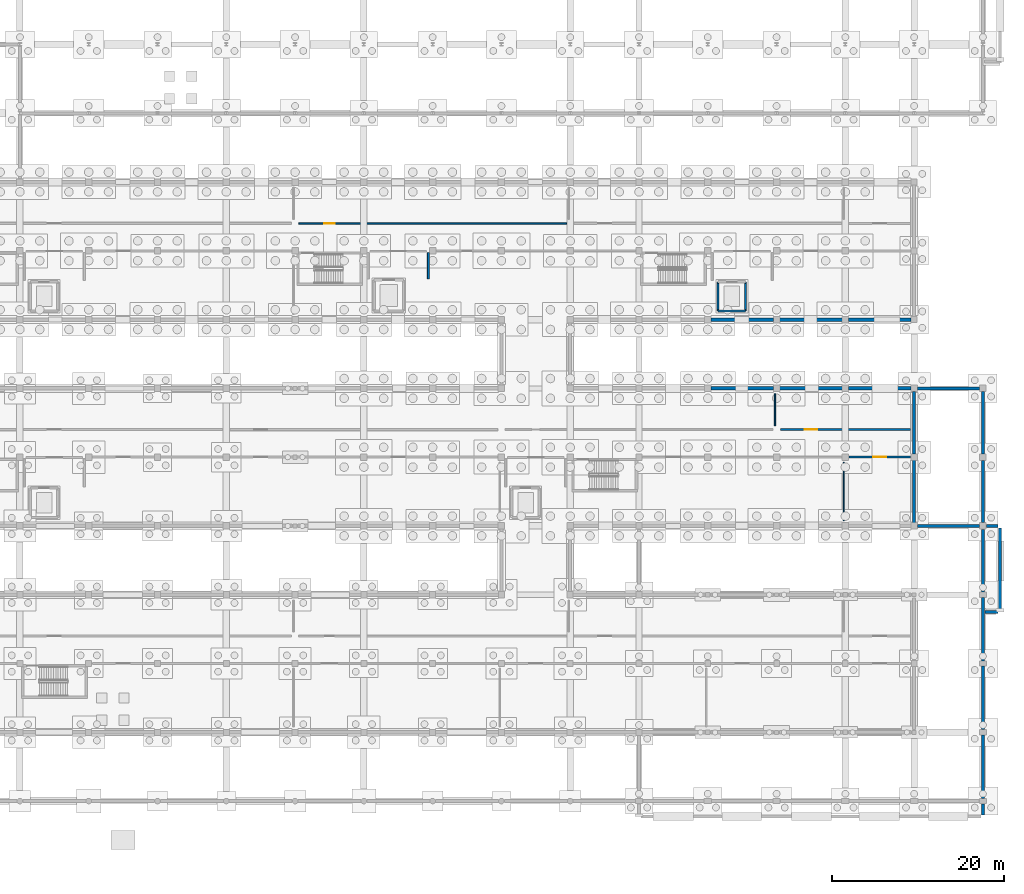
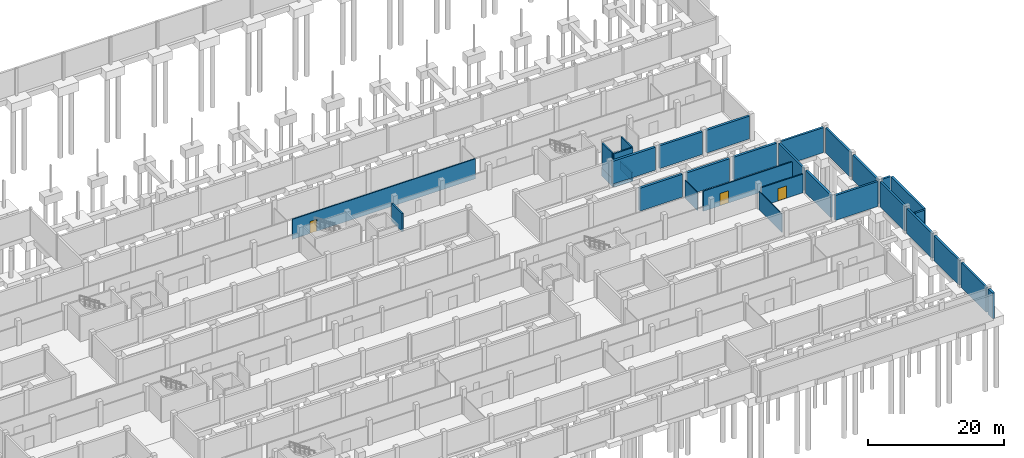
# One storey, part 44 of 51: 32 walls, 3 doors, 3 openings.
"""IFC4 building model written with IfcOpenShell, lengths in metres."""

from ifc_helpers import new_model, si_unit, direction, frame, frame_2d, origin, place, context, subcontext, project, spatial, rectangle, extrude, material, layer, layer_set, type_object, element, fill, save


model = new_model("IFC4")

# Units and contexts
model_context = context("Model", 3, precision=1e-05, world=origin(), true_north=direction((0.0, 1.0)))
body_context = subcontext(model_context, "Body", "Model", "MODEL_VIEW")
ifc_project = project(units=[si_unit("LENGTHUNIT", "METRE"), si_unit("AREAUNIT", "SQUARE_METRE"), si_unit("VOLUMEUNIT", "CUBIC_METRE"), si_unit("PLANEANGLEUNIT", "RADIAN"), si_unit("MASSUNIT", "GRAM", prefix="KILO")], contexts=[model_context])

# Site, building, storey
site_placement = place(None, origin())
site = spatial("IfcSite", under=ifc_project, at=site_placement, CompositionType="ELEMENT")
building_placement = place(site_placement, origin())
building = spatial("IfcBuilding", under=site, at=building_placement, Name="Jelvoka-Kovrelna Polytechnic", CompositionType="ELEMENT")
storey_placement = place(building_placement, frame((0.0, 0.0, -4.5)))
storey = spatial("IfcBuildingStorey", under=building, at=storey_placement, Name="B01", CompositionType="ELEMENT", Elevation=-4.5)

# Wall
ifc_material_1 = material(Name="Concrete C35/45", Category="concrete")
ifc_layer_1 = layer(ifc_material_1, 0.219970703125)
ifc_layer_set_1 = layer_set([ifc_layer_1], Name="Concrete C35/45")
wall_type_1 = type_object("IfcWallType", Name="Wall_Compartment_220", PredefinedType="PARTITIONING", material=ifc_layer_set_1)
wall_1_placement = place(storey_placement, frame((135.5, 60.75, 0.0), z_axis=(0.0, 0.0, 1.0), x_axis=(0.0, 1.0, 0.0)))
element("IfcWall", 1, at=wall_1_placement, inside=storey, type_object=wall_type_1, Name="B01 interior wall 0634", PredefinedType="PARTITIONING", context=body_context, shape_type="SweptSolid", body=[
    extrude(rectangle(XDim=3.050048828125, YDim=0.219970703125, at=frame_2d((1.52490234375, 0.0))), origin(), (0.0, 0.0, 1.0), 3.27001953125),
])

# Wall, opening, door
wall_2_placement = place(storey_placement, frame((184.429931640625, 40.0, 0.0), z_axis=(0.0, 0.0, 1.0), x_axis=(1.0, 0.0, 0.0)))
wall_2 = element("IfcWall", 2, at=wall_2_placement, inside=storey, type_object=wall_type_1, Name="B01 interior wall 0826", PredefinedType="PARTITIONING", context=body_context, shape_type="SweptSolid", body=[
    extrude(rectangle(XDim=7.14013671875, YDim=0.219970703125, at=frame_2d((3.570068359375, 0.0))), origin(), (0.0, 0.0, 1.0), 3.3701171875),
])
opening_1_placement = place(wall_2_placement, frame((2.820068359375, 0.0, 0.0)))
opening_1 = element("IfcOpeningElement", 3, at=opening_1_placement, cuts=wall_2, Name="Opening D-B01-137", PredefinedType="OPENING", context=body_context, shape_type="SweptSolid", body=[
    extrude(rectangle(XDim=1.5, YDim=2.199951171875, at=frame_2d((0.75, 1.10009765625))), frame((0.0, 0.119873046875, 0.0), z_axis=(0.0, -1.0, 0.0), x_axis=(1.0, 0.0, 0.0)), (0.0, 0.0, 1.0), 0.239990234375),
])
ifc_material_2 = material(Name="Paired steel stair lobby fire door", Category="steel")
door_type_1 = type_object("IfcDoorType", Name="Door_Fire_FD04", OperationType="NOTDEFINED", PredefinedType="DOOR", material=ifc_material_2)
door_1_placement = place(opening_1_placement, origin())
door_1 = element("IfcDoor", 4, at=door_1_placement, inside=storey, type_object=door_type_1, Name="B01 interior door D-B01-137", OperationType="DOUBLE_DOOR_SINGLE_SWING", OverallHeight=2.199951171875, OverallWidth=1.5, PredefinedType="DOOR", context=body_context, shape_type="SweptSolid", body=[
    extrude(rectangle(XDim=1.5, YDim=2.199951171875, at=frame_2d((0.75, 1.10009765625))), frame((0.0, 0.02490234375, 0.0), z_axis=(0.0, -1.0, 0.0), x_axis=(1.0, 0.0, 0.0)), (0.0, 0.0, 1.0), 0.050048828125),
])
fill(opening_1, door_1)

wall_3_placement = place(storey_placement, frame((176.429931640625, 43.199951171875, 0.0), z_axis=(0.0, 0.0, 1.0), x_axis=(1.0, 0.0, 0.0)))
wall_3 = element("IfcWall", 5, at=wall_3_placement, inside=storey, type_object=wall_type_1, Name="B01 interior wall 0830", PredefinedType="PARTITIONING", context=body_context, shape_type="SweptSolid", body=[
    extrude(rectangle(XDim=15.14013671875, YDim=0.219970703125, at=frame_2d((7.570068359375, 0.0))), origin(), (0.0, 0.0, 1.0), 3.60009765625),
])
opening_2_placement = place(wall_3_placement, frame((2.820068359375, 0.0, 0.0)))
opening_2 = element("IfcOpeningElement", 6, at=opening_2_placement, cuts=wall_3, Name="Opening D-B01-140", PredefinedType="OPENING", context=body_context, shape_type="SweptSolid", body=[
    extrude(rectangle(XDim=1.5, YDim=2.199951171875, at=frame_2d((0.75, 1.10009765625))), frame((0.0, 0.119873046875, 0.0), z_axis=(0.0, -1.0, 0.0), x_axis=(1.0, 0.0, 0.0)), (0.0, 0.0, 1.0), 0.239990234375),
])
door_2_placement = place(opening_2_placement, origin())
door_2 = element("IfcDoor", 7, at=door_2_placement, inside=storey, type_object=door_type_1, Name="B01 interior door D-B01-140", OperationType="DOUBLE_DOOR_SINGLE_SWING", OverallHeight=2.199951171875, OverallWidth=1.5, PredefinedType="DOOR", context=body_context, shape_type="SweptSolid", body=[
    extrude(rectangle(XDim=1.5, YDim=2.199951171875, at=frame_2d((0.75, 1.10009765625))), frame((0.0, 0.02490234375, 0.0), z_axis=(0.0, -1.0, 0.0), x_axis=(1.0, 0.0, 0.0)), (0.0, 0.0, 1.0), 0.050048828125),
])
fill(opening_2, door_2)

# Walls
ifc_material_3 = material(Name="Concrete C40/50", Category="concrete")
ifc_layer_2 = layer(ifc_material_3, 0.25)
ifc_layer_set_2 = layer_set([ifc_layer_2], Name="Concrete C40/50")
wall_type_2 = type_object("IfcWallType", Name="Wall_Core_250", PredefinedType="SOLIDWALL", material=ifc_layer_set_2)
wall_4_placement = place(storey_placement, frame((169.199951171875, 57.0, -1.5), z_axis=(0.0, 0.0, 1.0), x_axis=(1.0, 0.0, 0.0)))
element("IfcWall", 8, at=wall_4_placement, inside=storey, type_object=wall_type_2, Name="B01 interior wall 0324", PredefinedType="SOLIDWALL", context=body_context, shape_type="SweptSolid", body=[
    extrude(rectangle(XDim=3.199951171875, YDim=0.25, at=frame_2d((1.60009765625, 0.0))), origin(), (0.0, 0.0, 1.0), 1.5),
])
for number, where, z_axis, x_axis, name in (
    (9, (172.39990234375, 57.0, -1.5), (0.0, 0.0, 1.0), (0.0, 1.0, 0.0), "B01 interior wall 0325"),
    (10, (169.199951171875, 60.39990234375, -1.5), (0.0, 0.0, 1.0), (0.0, -1.0, 0.0), "B01 interior wall 0327"),
):
    element("IfcWall", number, at=place(storey_placement, frame(where, z_axis=z_axis, x_axis=x_axis)), inside=storey, type_object=wall_type_2, Name=name, PredefinedType="SOLIDWALL", context=body_context, shape_type="SweptSolid", body=[
        extrude(rectangle(XDim=3.39990234375, YDim=0.25, at=frame_2d((1.699951171875, 0.0))), origin(), (0.0, 0.0, 1.0), 1.5),
    ])
wall_5_placement = place(storey_placement, frame((169.199951171875, 57.0, 0.0), z_axis=(0.0, 0.0, 1.0), x_axis=(1.0, 0.0, 0.0)))
element("IfcWall", 11, at=wall_5_placement, inside=storey, type_object=wall_type_2, Name="B01 interior wall 0328", PredefinedType="SOLIDWALL", context=body_context, shape_type="SweptSolid", body=[
    extrude(rectangle(XDim=3.199951171875, YDim=0.25, at=frame_2d((1.60009765625, 0.0))), origin(), (0.0, 0.0, 1.0), 4.5),
])
for number, where, z_axis, x_axis, name in (
    (12, (169.199951171875, 57.199951171875, 0.0), (0.0, 0.0, 1.0), (0.0, 1.0, 0.0), "B01 interior wall 0330"),
    (13, (172.39990234375, 57.199951171875, 0.0), (0.0, 0.0, 1.0), (0.0, 1.0, 0.0), "B01 interior wall 0331"),
):
    element("IfcWall", number, at=place(storey_placement, frame(where, z_axis=z_axis, x_axis=x_axis)), inside=storey, type_object=wall_type_2, Name=name, PredefinedType="SOLIDWALL", context=body_context, shape_type="SweptSolid", body=[
        extrude(rectangle(XDim=3.0, YDim=0.25, at=frame_2d((1.5, 0.0))), origin(), (0.0, 0.0, 1.0), 4.5),
    ])

# Wall, opening, door
ifc_material_4 = material(Name="Autoclaved aerated concrete blockwork", Category="masonry")
ifc_layer_3 = layer(ifc_material_4, 0.179931640625)
ifc_layer_set_3 = layer_set([ifc_layer_3], Name="Autoclaved aerated concrete blockwork")
wall_type_3 = type_object("IfcWallType", Name="Wall_Corridor_180", PredefinedType="PARTITIONING", material=ifc_layer_set_3)
wall_6_placement = place(storey_placement, frame((120.429931640625, 67.199951171875, 0.0), z_axis=(0.0, 0.0, 1.0), x_axis=(1.0, 0.0, 0.0)))
wall_6 = element("IfcWall", 14, at=wall_6_placement, inside=storey, type_object=wall_type_3, Name="B01 interior wall 0839", PredefinedType="PARTITIONING", context=body_context, shape_type="SweptSolid", body=[
    extrude(rectangle(XDim=31.14013671875, YDim=0.179931640625, at=frame_2d((15.570068359375, 0.0))), origin(), (0.0, 0.0, 1.0), 3.60009765625),
])
opening_3_placement = place(wall_6_placement, frame((2.969970703125, 0.0, 0.0)))
opening_3 = element("IfcOpeningElement", 15, at=opening_3_placement, cuts=wall_6, Name="Opening D-B01-147", PredefinedType="OPENING", context=body_context, shape_type="SweptSolid", body=[
    extrude(rectangle(XDim=1.199951171875, YDim=2.14990234375, at=frame_2d((0.60009765625, 1.074951171875))), frame((0.0, 0.099853515625, 0.0), z_axis=(0.0, -1.0, 0.0), x_axis=(1.0, 0.0, 0.0)), (0.0, 0.0, 1.0), 0.199951171875),
])
ifc_material_5 = material(Name="Laboratory vision-panel door", Category="wood")
door_type_2 = type_object("IfcDoorType", Name="Door_Int_D12", OperationType="NOTDEFINED", PredefinedType="DOOR", material=ifc_material_5)
door_3_placement = place(opening_3_placement, origin())
door_3 = element("IfcDoor", 16, at=door_3_placement, inside=storey, type_object=door_type_2, Name="B01 interior door D-B01-147", OperationType="SINGLE_SWING_RIGHT", OverallHeight=2.14990234375, OverallWidth=1.199951171875, PredefinedType="DOOR", context=body_context, shape_type="SweptSolid", body=[
    extrude(rectangle(XDim=1.199951171875, YDim=2.14990234375, at=frame_2d((0.60009765625, 1.074951171875))), frame((0.0, 0.02490234375, 0.0), z_axis=(0.0, -1.0, 0.0), x_axis=(1.0, 0.0, 0.0)), (0.0, 0.0, 1.0), 0.050048828125),
])
fill(opening_3, door_3)

# Walls
ifc_material_6 = material(Name="Acoustic gypsum stud partition")
ifc_layer_4 = layer(ifc_material_6, 0.125)
ifc_layer_set_4 = layer_set([ifc_layer_4], Name="Acoustic gypsum stud partition")
wall_type_4 = type_object("IfcWallType", Name="Wall_Partition_125", PredefinedType="PARTITIONING", material=ifc_layer_set_4)
wall_7_placement = place(storey_placement, frame((183.820068359375, 32.6201171875, 0.0), z_axis=(0.0, 0.0, 1.0), x_axis=(0.0, 1.0, 0.0)))
element("IfcWall", 17, at=wall_7_placement, inside=storey, type_object=wall_type_4, Name="B01 interior wall 0825", PredefinedType="PARTITIONING", context=body_context, shape_type="SweptSolid", body=[
    extrude(rectangle(XDim=6.809814453125, YDim=0.125, at=frame_2d((3.40478515625, 0.0))), origin(), (0.0, 0.0, 1.0), 3.27001953125),
])
wall_8_placement = place(storey_placement, frame((175.820068359375, 43.669921875, 0.0), z_axis=(0.0, 0.0, 1.0), x_axis=(0.0, 1.0, 0.0)))
element("IfcWall", 18, at=wall_8_placement, inside=storey, type_object=wall_type_4, Name="B01 interior wall 0829", PredefinedType="PARTITIONING", context=body_context, shape_type="SweptSolid", body=[
    extrude(rectangle(XDim=3.7099609375, YDim=0.125, at=frame_2d((1.85498046875, 0.0))), origin(), (0.0, 0.0, 1.0), 3.27001953125),
])
ifc_material_7 = material(Name="Concrete C35/45", Category="concrete")
ifc_layer_5 = layer(ifc_material_7, 0.35009765625)
ifc_layer_set_5 = layer_set([ifc_layer_5], Name="Concrete C35/45")
wall_type_5 = type_object("IfcWallType", Name="Wall_Retaining_350", PredefinedType="USERDEFINED", material=ifc_layer_set_5)
for number, where, z_axis, x_axis, name in (
    (19, (192.0, 39.64990234375, 0.0), (0.0, 0.0, 1.0), (0.0, -1.0, 0.0), "B01 exterior wall 0068"),
    (20, (192.0, 47.64990234375, 0.0), (0.0, 0.0, 1.0), (0.0, -1.0, 0.0), "B01 exterior wall 0070"),
):
    element("IfcWall", number, at=place(storey_placement, frame(where, z_axis=z_axis, x_axis=x_axis)), inside=storey, type_object=wall_type_5, Name=name, ObjectType="RETAININGWALL", PredefinedType="USERDEFINED", context=body_context, shape_type="SweptSolid", body=[
        extrude(rectangle(XDim=7.2998046875, YDim=0.35009765625, at=frame_2d((3.64990234375, 0.0))), origin(), (0.0, 0.0, 1.0), 4.094970703125),
    ])
wall_9_placement = place(storey_placement, frame((200.0, -1.60009765625, -0.405029296875), z_axis=(0.0, 0.0, 1.0), x_axis=(0.0, 1.0, 0.0)))
element("IfcWall", 21, at=wall_9_placement, inside=storey, type_object=wall_type_5, Name="B01 exterior wall 0144", ObjectType="RETAININGWALL", PredefinedType="USERDEFINED", context=body_context, shape_type="SweptSolid", body=[
    extrude(rectangle(XDim=1.2880859375, YDim=0.35009765625, at=frame_2d((0.64404296875, 0.0))), origin(), (0.0, 0.0, 1.0), 4.6201171875),
])
for number, where, z_axis, x_axis, name in (
    (22, (200.0, 0.31201171875, -0.405029296875), (0.0, 0.0, 1.0), (0.0, 1.0, 0.0), "B01 exterior wall 0176"),
    (23, (200.0, 8.31201171875, -0.405029296875), (0.0, 0.0, 1.0), (0.0, 1.0, 0.0), "B01 exterior wall 0177"),
    (24, (200.0, 16.31201171875, -0.405029296875), (0.0, 0.0, 1.0), (0.0, 1.0, 0.0), "B01 exterior wall 0178"),
):
    element("IfcWall", number, at=place(storey_placement, frame(where, z_axis=z_axis, x_axis=x_axis)), inside=storey, type_object=wall_type_5, Name=name, ObjectType="RETAININGWALL", PredefinedType="USERDEFINED", context=body_context, shape_type="SweptSolid", body=[
        extrude(rectangle(XDim=7.3759765625, YDim=0.35009765625, at=frame_2d((3.68798828125, 0.0))), origin(), (0.0, 0.0, 1.0), 4.4951171875),
    ])
wall_10_placement = place(storey_placement, frame((200.0, 24.31201171875, -0.405029296875), z_axis=(0.0, 0.0, 1.0), x_axis=(0.0, 1.0, 0.0)))
element("IfcWall", 25, at=wall_10_placement, inside=storey, type_object=wall_type_5, Name="B01 exterior wall 0179", ObjectType="RETAININGWALL", PredefinedType="USERDEFINED", context=body_context, shape_type="SweptSolid", body=[
    extrude(rectangle(XDim=7.301025390625, YDim=0.35009765625, at=frame_2d((3.650390625, 0.0))), origin(), (0.0, 0.0, 1.0), 4.4951171875),
])
wall_11_placement = place(storey_placement, frame((202.0, 22.219970703125, -0.405029296875), z_axis=(0.0, 0.0, 1.0), x_axis=(0.0, 1.0, 0.0)))
element("IfcWall", 26, at=wall_11_placement, inside=storey, type_object=wall_type_5, Name="B01 exterior wall 0180", ObjectType="RETAININGWALL", PredefinedType="USERDEFINED", context=body_context, shape_type="SweptSolid", body=[
    extrude(rectangle(XDim=9.56005859375, YDim=0.35009765625, at=frame_2d((4.780029296875, 0.0))), origin(), (0.0, 0.0, 1.0), 4.6201171875),
])
wall_12_placement = place(storey_placement, frame((200.219970703125, 22.0, -0.405029296875), z_axis=(0.0, 0.0, 1.0), x_axis=(1.0, 0.0, 0.0)))
element("IfcWall", 27, at=wall_12_placement, inside=storey, type_object=wall_type_5, Name="B01 exterior wall 0181", ObjectType="RETAININGWALL", PredefinedType="USERDEFINED", context=body_context, shape_type="SweptSolid", body=[
    extrude(rectangle(XDim=1.56005859375, YDim=0.35009765625, at=frame_2d((0.780029296875, 0.0))), origin(), (0.0, 0.0, 1.0), 4.6201171875),
])
wall_13_placement = place(storey_placement, frame((200.386962890625, 32.0, -0.405029296875), z_axis=(0.0, 0.0, 1.0), x_axis=(1.0, 0.0, 0.0)))
element("IfcWall", 28, at=wall_13_placement, inside=storey, type_object=wall_type_5, Name="B01 exterior wall 0182", ObjectType="RETAININGWALL", PredefinedType="USERDEFINED", context=body_context, shape_type="SweptSolid", body=[
    extrude(rectangle(XDim=1.39306640625, YDim=0.35009765625, at=frame_2d((0.696533203125, 0.0))), origin(), (0.0, 0.0, 1.0), 4.6201171875),
])
for number, where, z_axis, x_axis, name in (
    (29, (192.386962890625, 32.0, -0.405029296875), (0.0, 0.0, 1.0), (1.0, 0.0, 0.0), "B01 exterior wall 0183"),
    (30, (192.386962890625, 48.0, -0.405029296875), (0.0, 0.0, 1.0), (1.0, 0.0, 0.0), "B01 exterior wall 0184"),
    (31, (200.0, 32.386962890625, -0.405029296875), (0.0, 0.0, 1.0), (0.0, 1.0, 0.0), "B01 exterior wall 0185"),
    (32, (200.0, 40.386962890625, -0.405029296875), (0.0, 0.0, 1.0), (0.0, 1.0, 0.0), "B01 exterior wall 0186"),
):
    element("IfcWall", number, at=place(storey_placement, frame(where, z_axis=z_axis, x_axis=x_axis)), inside=storey, type_object=wall_type_5, Name=name, ObjectType="RETAININGWALL", PredefinedType="USERDEFINED", context=body_context, shape_type="SweptSolid", body=[
        extrude(rectangle(XDim=7.22607421875, YDim=0.35009765625, at=frame_2d((3.613037109375, 0.0))), origin(), (0.0, 0.0, 1.0), 4.4951171875),
    ])
ifc_material_8 = material(Name="Concrete C35/45", Category="concrete")
ifc_layer_6 = layer(ifc_material_8, 0.39990234375)
ifc_layer_set_6 = layer_set([ifc_layer_6], Name="Concrete C35/45")
wall_type_6 = type_object("IfcWallType", Name="Wall_Retaining_400", PredefinedType="USERDEFINED", material=ifc_layer_set_6)
for number, where, z_axis, x_axis, name in (
    (33, (168.35009765625, 48.0, 0.0), (0.0, 0.0, 1.0), (1.0, 0.0, 0.0), "B01 exterior wall 0062"),
    (34, (176.35009765625, 48.0, 0.0), (0.0, 0.0, 1.0), (1.0, 0.0, 0.0), "B01 exterior wall 0064"),
    (35, (184.35009765625, 48.0, 0.0), (0.0, 0.0, 1.0), (1.0, 0.0, 0.0), "B01 exterior wall 0066"),
    (36, (175.64990234375, 56.0, 0.0), (0.0, 0.0, 1.0), (-1.0, 0.0, 0.0), "B01 exterior wall 0097"),
    (37, (183.64990234375, 56.0, 0.0), (0.0, 0.0, 1.0), (-1.0, 0.0, 0.0), "B01 exterior wall 0099"),
    (38, (191.64990234375, 56.0, 0.0), (0.0, 0.0, 1.0), (-1.0, 0.0, 0.0), "B01 exterior wall 0101"),
):
    element("IfcWall", number, at=place(storey_placement, frame(where, z_axis=z_axis, x_axis=x_axis)), inside=storey, type_object=wall_type_6, Name=name, ObjectType="RETAININGWALL", PredefinedType="USERDEFINED", context=body_context, shape_type="SweptSolid", body=[
        extrude(rectangle(XDim=7.2998046875, YDim=0.39990234375, at=frame_2d((3.64990234375, 0.0))), origin(), (0.0, 0.0, 1.0), 4.094970703125),
    ])

save(model, "model.ifc")
